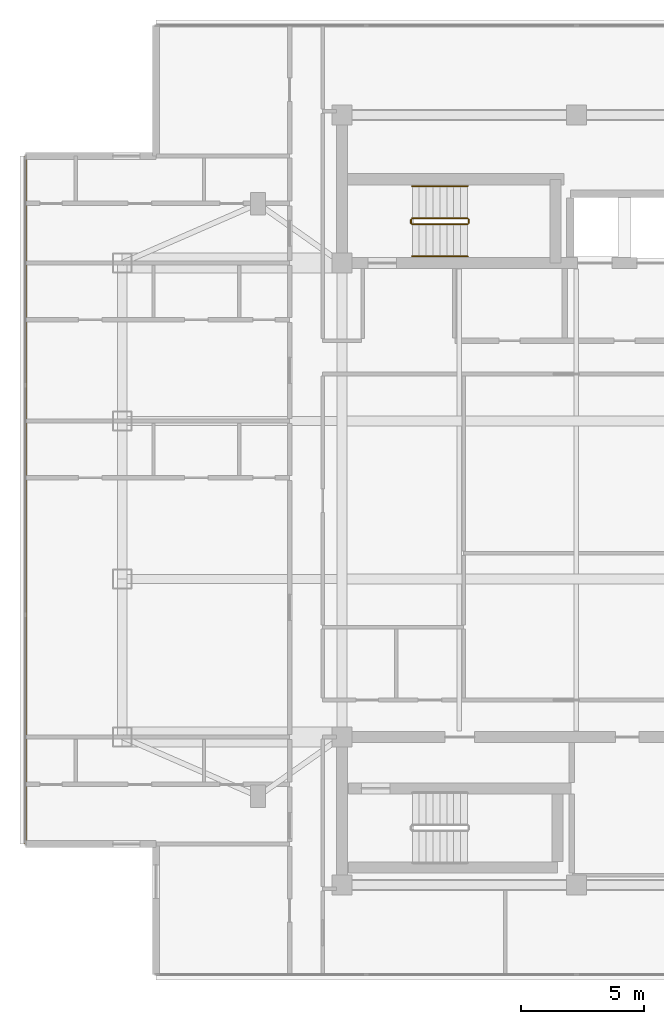
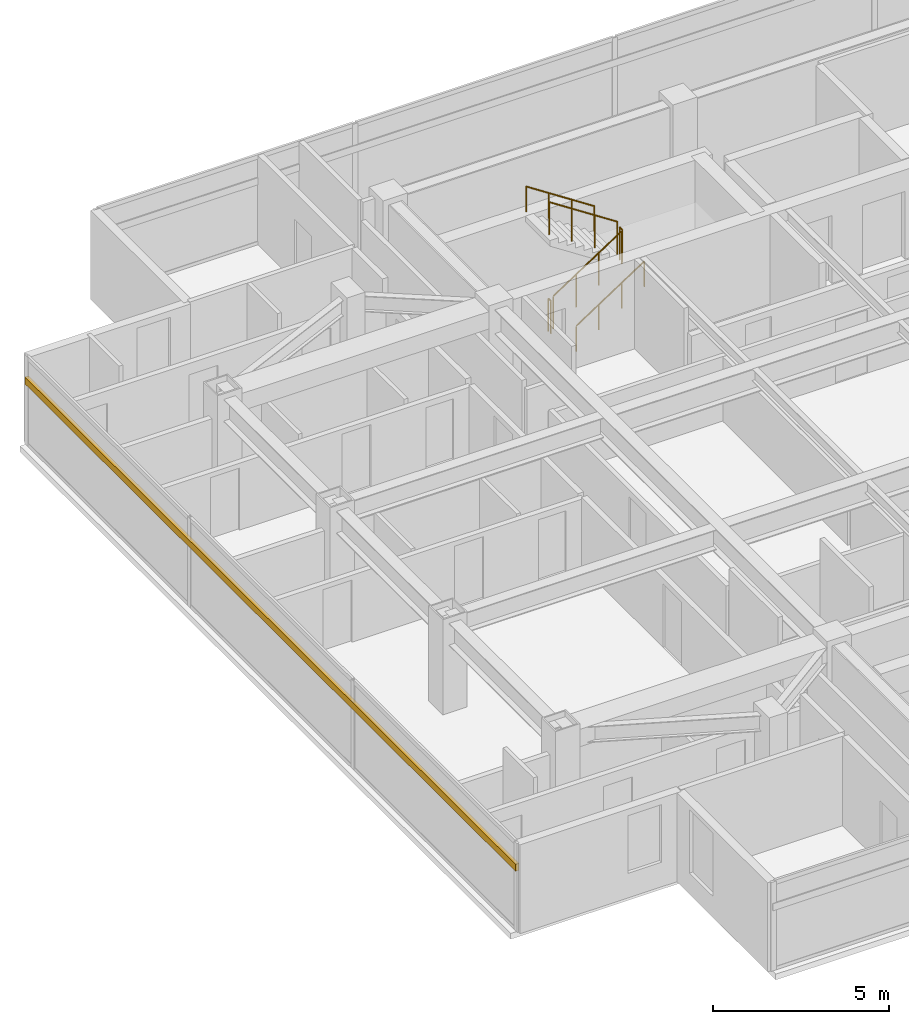
# One storey, part 13 of 14: 6 railings, 1 shading device.
"""IFC4 building model written with IfcOpenShell, lengths in metres."""

from ifc_helpers import new_model, si_unit, direction, frame, origin, origin_2d, place, context, subcontext, project, spatial, rectangle, circle, extrude, material, material_profile, profile_set, type_object, element, save


model = new_model("IFC4")

# Units and contexts
model_context = context("Model", 3, precision=1e-05, world=origin(), true_north=direction((0.0, 1.0)))
body_context = subcontext(model_context, "Body", "Model", "MODEL_VIEW")
ifc_project = project(units=[si_unit("LENGTHUNIT", "METRE"), si_unit("AREAUNIT", "SQUARE_METRE"), si_unit("VOLUMEUNIT", "CUBIC_METRE"), si_unit("PLANEANGLEUNIT", "RADIAN"), si_unit("MASSUNIT", "GRAM", prefix="KILO")], contexts=[model_context])

# Site, building, storey
site_placement = place(None, origin())
site = spatial("IfcSite", under=ifc_project, at=site_placement, CompositionType="ELEMENT")
building_placement = place(site_placement, origin())
building = spatial("IfcBuilding", under=site, at=building_placement, Name="Mirazonda Arch Towers", CompositionType="ELEMENT")
storey_placement = place(building_placement, frame((0.0, 0.0, 245.800048828125)))
storey = spatial("IfcBuildingStorey", under=building, at=storey_placement, Name="L70", CompositionType="ELEMENT", Elevation=245.800048828125)

# Shading device
ifc_material_1 = material(Name="Kiln-Fired Architectural Terracotta", Category="masonry")
ifc_material_profile = material_profile(ifc_material_1, rectangle(XDim=0.1201171875, YDim=0.239990234375, at=origin_2d()), Name="TERRA-BAG-120x240")
ifc_profile_set = profile_set([ifc_material_profile], Name="Kiln-Fired Architectural Terracotta")
shading_device_type = type_object("IfcShadingDeviceType", Name="BAGUETTE-1", PredefinedType="USERDEFINED", material=ifc_profile_set)
shading_device_placement = place(storey_placement, frame((-1.820068359375, 41.93408203125, 2.217529296875), z_axis=(0.0, -1.0, 0.0), x_axis=(1.0, 0.0, 0.0)))
element("IfcShadingDevice", 1, at=shading_device_placement, inside=storey, type_object=shading_device_type, Name="L70 Glazed Terracotta Sun-Screen Baguette CW-L70-T1-W", ObjectType="BAGUETTE", PredefinedType="USERDEFINED", context=body_context, shape_type="SweptSolid", body=[
    extrude(rectangle(XDim=0.1201171875, YDim=0.239990234375, at=origin_2d()), origin(), (0.0, 0.0, 1.0), 27.8681640625),
])

# Railings
ifc_material_2 = material(Name="Architectural Brushed Steel S355", Category="steel")
railing_type_1 = type_object("IfcRailingType", Name="GUARD-STAIR-1120", PredefinedType="GUARDRAIL", material=ifc_material_2)
railing_1_placement = place(storey_placement, frame((13.85009765625, 39.169921875, 0.183349609375)))
element("IfcRailing", 2, at=railing_1_placement, inside=storey, type_object=railing_type_1, Name="L70 ST-T1N stair guard 1", PredefinedType="GUARDRAIL", context=body_context, shape_type="SweptSolid", body=[
    extrude(circle(Radius=0.02392578125, at=origin_2d()), frame((0.0, 0.0, 1.1259765625), z_axis=(0.836636935527, 0.0, 0.547757827979), x_axis=(0.0, 1.0, 0.0)), (0.0, 0.0, 1.0), 2.677490234375),
    extrude(circle(Radius=0.02099609375, at=origin_2d()), origin(), (0.0, 0.0, 1.0), 1.101806640625),
    extrude(circle(Radius=0.02099609375, at=origin_2d()), frame((0.74658203125, 0.0, 0.48876953125)), (0.0, 0.0, 1.0), 1.101806640625),
    extrude(circle(Radius=0.02099609375, at=origin_2d()), frame((1.493408203125, 0.0, 0.977783203125)), (0.0, 0.0, 1.0), 1.101806640625),
    extrude(circle(Radius=0.02099609375, at=origin_2d()), frame((2.239990234375, 0.0, 1.466552734375)), (0.0, 0.0, 1.0), 1.101806640625),
])
railing_2_placement = place(storey_placement, frame((16.139892578125, 39.219970703125, 1.64990234375)))
element("IfcRailing", 3, at=railing_2_placement, inside=storey, type_object=railing_type_1, Name="L70 ST-T1N stair guard 2", PredefinedType="GUARDRAIL", context=body_context, shape_type="SweptSolid", body=[
    extrude(circle(Radius=0.02392578125, at=origin_2d()), frame((0.0, 0.0, 1.1259765625), z_axis=(0.0, 1.0, 0.0), x_axis=(-1.0, 0.0, 0.0)), (0.0, 0.0, 1.0), 0.14013671875),
    extrude(circle(Radius=0.02099609375, at=origin_2d()), origin(), (0.0, 0.0, 1.0), 1.101806640625),
    extrude(circle(Radius=0.02099609375, at=origin_2d()), frame((0.0, 0.14013671875, 0.0)), (0.0, 0.0, 1.0), 1.101806640625),
])
railing_3_placement = place(storey_placement, frame((16.090087890625, 39.409912109375, 1.833251953125)))
element("IfcRailing", 4, at=railing_3_placement, inside=storey, type_object=railing_type_1, Name="L70 ST-T1N stair guard 3", PredefinedType="GUARDRAIL", context=body_context, shape_type="SweptSolid", body=[
    extrude(circle(Radius=0.02392578125, at=origin_2d()), frame((0.0, 0.0, 1.1259765625), z_axis=(-0.836595146698, 0.0, 0.547821650285), x_axis=(0.0, -1.0, 0.0)), (0.0, 0.0, 1.0), 2.677490234375),
    extrude(circle(Radius=0.02099609375, at=origin_2d()), origin(), (0.0, 0.0, 1.0), 1.101806640625),
    extrude(circle(Radius=0.02099609375, at=origin_2d()), frame((-0.74658203125, 0.0, 0.489013671875)), (0.0, 0.0, 1.0), 1.101806640625),
    extrude(circle(Radius=0.02099609375, at=origin_2d()), frame((-1.493408203125, 0.0, 0.977783203125)), (0.0, 0.0, 1.0), 1.101806640625),
    extrude(circle(Radius=0.02099609375, at=origin_2d()), frame((-2.239990234375, 0.0, 1.466796875)), (0.0, 0.0, 1.0), 1.101806640625),
])
railing_4_placement = place(storey_placement, frame((13.800048828125, 39.219970703125, 0.0)))
element("IfcRailing", 5, at=railing_4_placement, inside=storey, type_object=railing_type_1, Name="L70 ST-T1N stair guard 4", PredefinedType="GUARDRAIL", context=body_context, shape_type="SweptSolid", body=[
    extrude(circle(Radius=0.02392578125, at=origin_2d()), frame((0.0, 0.0, 1.1259765625), z_axis=(0.0, 1.0, 0.0), x_axis=(-1.0, 0.0, 0.0)), (0.0, 0.0, 1.0), 0.14013671875),
    extrude(circle(Radius=0.02099609375, at=origin_2d()), origin(), (0.0, 0.0, 1.0), 1.101806640625),
    extrude(circle(Radius=0.02099609375, at=origin_2d()), frame((0.0, 0.14013671875, 0.0)), (0.0, 0.0, 1.0), 1.101806640625),
])
railing_type_2 = type_object("IfcRailingType", Name="HANDRAIL-915", PredefinedType="HANDRAIL", material=ifc_material_2)
railing_5_placement = place(storey_placement, frame((13.85009765625, 37.8701171875, 0.183349609375)))
element("IfcRailing", 6, at=railing_5_placement, inside=storey, type_object=railing_type_2, Name="L70 ST-T1N stair handrail 1", PredefinedType="HANDRAIL", context=body_context, shape_type="SweptSolid", body=[
    extrude(circle(Radius=0.02392578125, at=origin_2d()), frame((0.0, 0.0, 0.8759765625), z_axis=(0.836636935527, 0.0, 0.547757827979), x_axis=(0.0, 1.0, 0.0)), (0.0, 0.0, 1.0), 2.677490234375),
    extrude(circle(Radius=0.02099609375, at=origin_2d()), origin(), (0.0, 0.0, 1.0), 0.851806640625),
    extrude(circle(Radius=0.02099609375, at=origin_2d()), frame((0.74658203125, 0.0, 0.48876953125)), (0.0, 0.0, 1.0), 0.851806640625),
    extrude(circle(Radius=0.02099609375, at=origin_2d()), frame((1.493408203125, 0.0, 0.977783203125)), (0.0, 0.0, 1.0), 0.851806640625),
    extrude(circle(Radius=0.02099609375, at=origin_2d()), frame((2.239990234375, 0.0, 1.466552734375)), (0.0, 0.0, 1.0), 0.851806640625),
])
railing_6_placement = place(storey_placement, frame((16.090087890625, 40.7099609375, 1.833251953125)))
element("IfcRailing", 7, at=railing_6_placement, inside=storey, type_object=railing_type_2, Name="L70 ST-T1N stair handrail 2", PredefinedType="HANDRAIL", context=body_context, shape_type="SweptSolid", body=[
    extrude(circle(Radius=0.02392578125, at=origin_2d()), frame((0.0, 0.0, 0.8759765625), z_axis=(-0.836595146698, 0.0, 0.547821650285), x_axis=(0.0, -1.0, 0.0)), (0.0, 0.0, 1.0), 2.677490234375),
    extrude(circle(Radius=0.02099609375, at=origin_2d()), origin(), (0.0, 0.0, 1.0), 0.851806640625),
    extrude(circle(Radius=0.02099609375, at=origin_2d()), frame((-0.74658203125, 0.0, 0.489013671875)), (0.0, 0.0, 1.0), 0.851806640625),
    extrude(circle(Radius=0.02099609375, at=origin_2d()), frame((-1.493408203125, 0.0, 0.977783203125)), (0.0, 0.0, 1.0), 0.851806640625),
    extrude(circle(Radius=0.02099609375, at=origin_2d()), frame((-2.239990234375, 0.0, 1.466796875)), (0.0, 0.0, 1.0), 0.851806640625),
])

save(model, "model.ifc")
